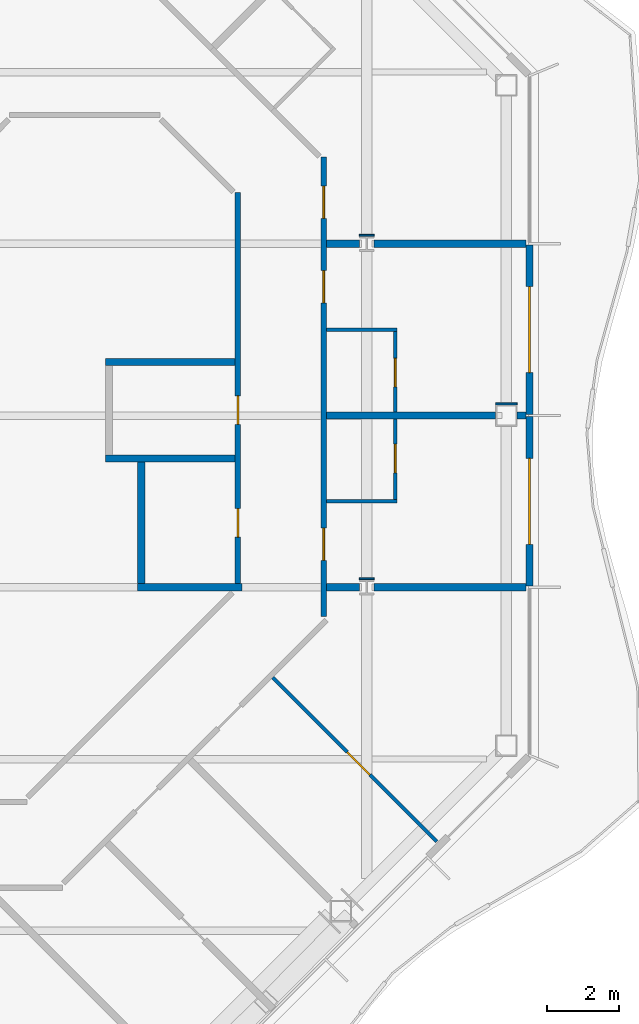
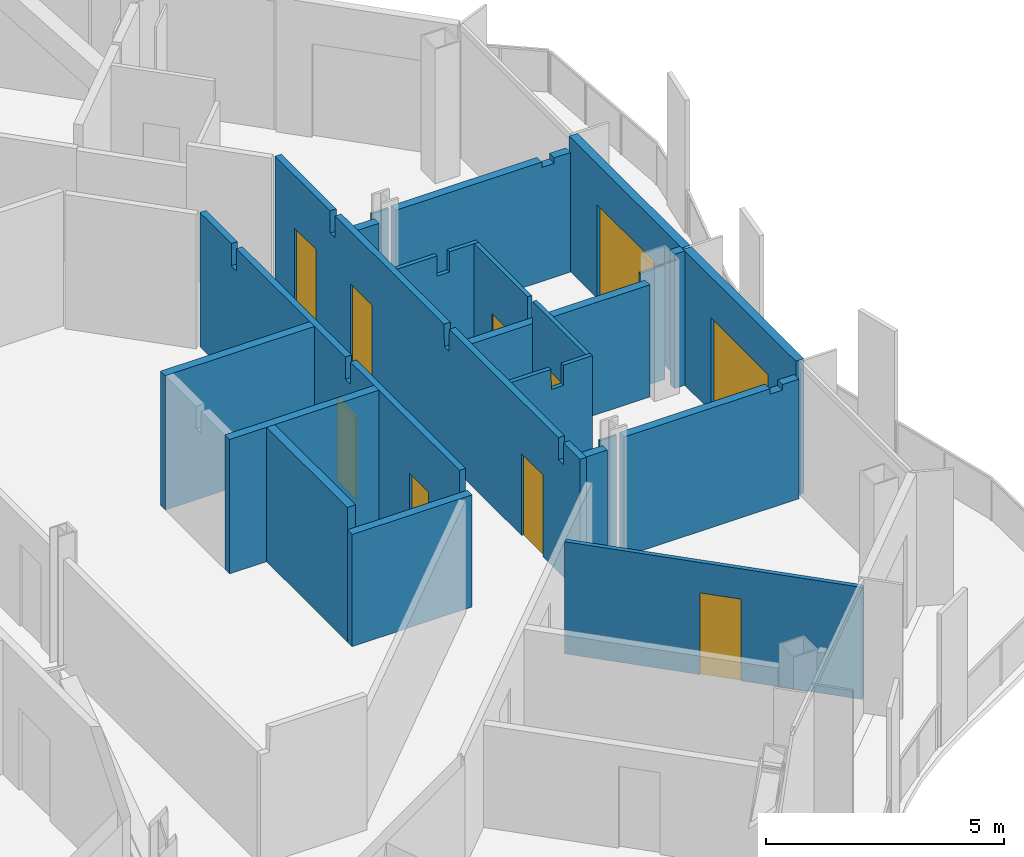
# One storey, part 11 of 20: 22 walls, 10 doors, 10 openings.
"""IFC4 building model written with IfcOpenShell, lengths in metres."""

from ifc_helpers import new_model, si_unit, direction, frame, frame_2d, origin, place, context, subcontext, project, spatial, polyline, rectangle, outline, extrude, material, layer, layer_set, type_object, element, fill, save


model = new_model("IFC4")

# Units and contexts
model_context = context("Model", 3, precision=1e-05, world=origin(), true_north=direction((0.0, 1.0)))
body_context = subcontext(model_context, "Body", "Model", "MODEL_VIEW")
ifc_project = project(units=[si_unit("LENGTHUNIT", "METRE"), si_unit("AREAUNIT", "SQUARE_METRE"), si_unit("VOLUMEUNIT", "CUBIC_METRE"), si_unit("PLANEANGLEUNIT", "RADIAN"), si_unit("MASSUNIT", "GRAM", prefix="KILO")], contexts=[model_context])

# Site, building, storey
site_placement = place(None, origin())
site = spatial("IfcSite", under=ifc_project, at=site_placement, CompositionType="ELEMENT")
building_placement = place(site_placement, origin())
building = spatial("IfcBuilding", under=site, at=building_placement, Name="Cairn Pilgrim Tower", CompositionType="ELEMENT")
storey_placement = place(building_placement, frame((0.0, 0.0, 165.0)))
storey = spatial("IfcBuildingStorey", under=building, at=storey_placement, Name="L41", CompositionType="ELEMENT", Elevation=165.0)

# Wall, opening, door
ifc_material_1 = material(Name="Bronze anodised aluminium insulated sandwich panel with mineral wool fill", Category="aluminium")
ifc_layer_1 = layer(ifc_material_1, 0.199951171875)
ifc_layer_set_1 = layer_set([ifc_layer_1], Name="BRONZE INFILL FRAME WALL 200")
wall_type_1 = type_object("IfcWallType", Name="BRONZE INFILL FRAME WALL 200", PredefinedType="NOTDEFINED", material=ifc_layer_set_1)
wall_1_placement = place(storey_placement, frame((35.75, 0.030029296875, 0.0), z_axis=(0.0, 0.0, 1.0), x_axis=(0.0, 1.0, 0.0)))
wall_1 = element("IfcWall", 1, at=wall_1_placement, inside=storey, type_object=wall_type_1, Name="Bronze infill frame wall IW-E2", PredefinedType="NOTDEFINED", context=body_context, shape_type="SweptSolid", body=[
    extrude(rectangle(XDim=4.739990234375, YDim=0.199951171875, at=frame_2d((2.3701171875, 0.0))), origin(), (0.0, 0.0, 1.0), 3.449951171875),
])
opening_1_placement = place(wall_1_placement, frame((1.169921875, 0.0, 0.0)))
opening_1 = element("IfcOpeningElement", 2, at=opening_1_placement, cuts=wall_1, Name="Opening 4106B", PredefinedType="OPENING", context=body_context, shape_type="SweptSolid", body=[
    extrude(rectangle(XDim=2.39990234375, YDim=2.39990234375, at=frame_2d((1.199951171875, 1.199951171875))), frame((0.0, 0.10986328125, 0.0), z_axis=(0.0, -1.0, 0.0), x_axis=(1.0, 0.0, 0.0)), (0.0, 0.0, 1.0), 0.219970703125),
])
ifc_material_2 = material(Name="Bronze anodised aluminium frame with tinted low-E glass", Category="aluminium")
door_type_1 = type_object("IfcDoorType", Name="BALCONY SLIDING DOOR 2400x2400", OperationType="DOUBLE_DOOR_SLIDING", PredefinedType="DOOR", material=ifc_material_2)
door_1_placement = place(opening_1_placement, origin())
door_1 = element("IfcDoor", 3, at=door_1_placement, inside=storey, type_object=door_type_1, Name="Balcony sliding door 4106B", OperationType="SINGLE_SWING_LEFT", OverallHeight=2.39990234375, OverallWidth=2.39990234375, PredefinedType="DOOR", context=body_context, shape_type="SweptSolid", body=[
    extrude(rectangle(XDim=2.39990234375, YDim=2.39990234375, at=frame_2d((1.199951171875, 1.199951171875))), frame((0.0, 0.02490234375, 0.0), z_axis=(0.0, -1.0, 0.0), x_axis=(1.0, 0.0, 0.0)), (0.0, 0.0, 1.0), 0.050048828125),
])
fill(opening_1, door_1)

wall_2_placement = place(storey_placement, frame((35.75, 4.830078125, 0.0), z_axis=(0.0, 0.0, 1.0), x_axis=(0.0, 1.0, 0.0)))
wall_2 = element("IfcWall", 4, at=wall_2_placement, inside=storey, type_object=wall_type_1, Name="Bronze infill frame wall IW-E3", PredefinedType="NOTDEFINED", context=body_context, shape_type="SweptSolid", body=[
    extrude(rectangle(XDim=4.739990234375, YDim=0.199951171875, at=frame_2d((2.3701171875, 0.0))), origin(), (0.0, 0.0, 1.0), 3.449951171875),
])
opening_2_placement = place(wall_2_placement, frame((1.169921875, 0.0, 0.0)))
opening_2 = element("IfcOpeningElement", 5, at=opening_2_placement, cuts=wall_2, Name="Opening 4107B", PredefinedType="OPENING", context=body_context, shape_type="SweptSolid", body=[
    extrude(rectangle(XDim=2.39990234375, YDim=2.39990234375, at=frame_2d((1.199951171875, 1.199951171875))), frame((0.0, 0.10986328125, 0.0), z_axis=(0.0, -1.0, 0.0), x_axis=(1.0, 0.0, 0.0)), (0.0, 0.0, 1.0), 0.219970703125),
])
door_2_placement = place(opening_2_placement, origin())
door_2 = element("IfcDoor", 6, at=door_2_placement, inside=storey, type_object=door_type_1, Name="Balcony sliding door 4107B", OperationType="SINGLE_SWING_LEFT", OverallHeight=2.39990234375, OverallWidth=2.39990234375, PredefinedType="DOOR", context=body_context, shape_type="SweptSolid", body=[
    extrude(rectangle(XDim=2.39990234375, YDim=2.39990234375, at=frame_2d((1.199951171875, 1.199951171875))), frame((0.0, 0.02490234375, 0.0), z_axis=(0.0, -1.0, 0.0), x_axis=(1.0, 0.0, 0.0)), (0.0, 0.0, 1.0), 0.050048828125),
])
fill(opening_2, door_2)

ifc_material_3 = material(Name="Gypsum partition")
ifc_layer_2 = layer(ifc_material_3, 0.10009765625)
ifc_layer_set_2 = layer_set([ifc_layer_2], Name="PARTITION 100 DRYWALL")
wall_type_2 = type_object("IfcWallType", Name="PARTITION 100 DRYWALL", PredefinedType="PARTITIONING", material=ifc_layer_set_2)
wall_3_placement = place(storey_placement, frame((33.1552734375, -7.107421875, 0.0), z_axis=(0.0, 0.0, 1.0), x_axis=(-0.70708794033, 0.707125621541, 0.0)))
wall_3 = element("IfcWall", 7, at=wall_3_placement, inside=storey, type_object=wall_type_2, Name="PARTITION W027", PredefinedType="PARTITIONING", context=body_context, shape_type="SweptSolid", body=[
    extrude(rectangle(XDim=6.47900390625, YDim=0.10009765625, at=frame_2d((3.239501953125, 0.0))), origin(), (0.0, 0.0, 1.0), 2.8798828125),
])
opening_3_placement = place(wall_3_placement, frame((2.636962890625, 0.0, 0.0)))
opening_3 = element("IfcOpeningElement", 8, at=opening_3_placement, cuts=wall_3, Name="Opening 4105", PredefinedType="OPENING", context=body_context, shape_type="SweptSolid", body=[
    extrude(rectangle(XDim=0.89990234375, YDim=2.10009765625, at=frame_2d((0.449951171875, 1.050048828125))), frame((0.0, 0.06005859375, 0.0), z_axis=(0.0, -1.0, 0.0), x_axis=(1.0, 0.0, 0.0)), (0.0, 0.0, 1.0), 0.1201171875),
])
ifc_material_4 = material(Name="Timber door leaf", Category="wood")
door_type_2 = type_object("IfcDoorType", Name="SERVICE DOOR 900x2100", OperationType="NOTDEFINED", PredefinedType="DOOR", material=ifc_material_4)
door_3_placement = place(opening_3_placement, frame((0.89990234375, 0.0, 0.0), z_axis=(0.0, 0.0, 1.0), x_axis=(-1.0, 0.0, 0.0)))
door_3 = element("IfcDoor", 9, at=door_3_placement, inside=storey, type_object=door_type_2, Name="DOOR 4105", OperationType="SINGLE_SWING_RIGHT", OverallHeight=2.10009765625, OverallWidth=0.89990234375, PredefinedType="DOOR", context=body_context, shape_type="SweptSolid", body=[
    extrude(rectangle(XDim=0.89990234375, YDim=2.10009765625, at=frame_2d((0.449951171875, 1.050048828125))), frame((0.0, 0.02490234375, 0.0), z_axis=(0.0, -1.0, 0.0), x_axis=(1.0, 0.0, 0.0)), (0.0, 0.0, 1.0), 0.050048828125),
])
fill(opening_3, door_3)

# Wall
wall_4_placement = place(storey_placement, frame((30.074951171875, 2.39990234375, 0.0), z_axis=(0.0, 0.0, 1.0), x_axis=(1.0, 0.0, 0.0)))
element("IfcWall", 10, at=wall_4_placement, inside=storey, type_object=wall_type_2, Name="PARTITION W049", PredefinedType="PARTITIONING", context=body_context, shape_type="SweptSolid", body=[
    extrude(outline(polyline([(0.0, 0.0), (1.97509765625, 0.0), (1.97509765625, 3.449951171875), (1.27490234375, 3.449951171875), (1.27294921875, 2.929931640625), (0.97509765625, 2.929931640625), (0.972900390625, 3.449951171875), (0.0, 3.449951171875), (0.0, 0.0)])), frame((0.0, 0.050048828125, 0.0), z_axis=(0.0, -1.0, 0.0), x_axis=(1.0, 0.0, 0.0)), (0.0, 0.0, 1.0), 0.10009765625),
])

# Wall, opening, door
wall_5_placement = place(storey_placement, frame((32.0, 2.449951171875, 0.0), z_axis=(0.0, 0.0, 1.0), x_axis=(0.0, 1.0, 0.0)))
wall_5 = element("IfcWall", 11, at=wall_5_placement, inside=storey, type_object=wall_type_2, Name="PARTITION W050", PredefinedType="PARTITIONING", context=body_context, shape_type="SweptSolid", body=[
    extrude(rectangle(XDim=2.25, YDim=0.10009765625, at=frame_2d((1.125, 0.0))), origin(), (0.0, 0.0, 1.0), 3.449951171875),
])
opening_4_placement = place(wall_5_placement, frame((0.75, 0.0, 0.0)))
opening_4 = element("IfcOpeningElement", 12, at=opening_4_placement, cuts=wall_5, Name="Opening 4106A", PredefinedType="OPENING", context=body_context, shape_type="SweptSolid", body=[
    extrude(rectangle(XDim=0.800048828125, YDim=2.10009765625, at=frame_2d((0.39990234375, 1.050048828125))), frame((0.0, 0.06005859375, 0.0), z_axis=(0.0, -1.0, 0.0), x_axis=(1.0, 0.0, 0.0)), (0.0, 0.0, 1.0), 0.1201171875),
])
door_type_3 = type_object("IfcDoorType", Name="WC DOOR 800x2100", OperationType="NOTDEFINED", PredefinedType="DOOR", material=ifc_material_4)
door_4_placement = place(opening_4_placement, frame((0.800048828125, 0.0, 0.0), z_axis=(0.0, 0.0, 1.0), x_axis=(-1.0, 0.0, 0.0)))
door_4 = element("IfcDoor", 13, at=door_4_placement, inside=storey, type_object=door_type_3, Name="DOOR 4106A", OperationType="SINGLE_SWING_RIGHT", OverallHeight=2.10009765625, OverallWidth=0.800048828125, PredefinedType="DOOR", context=body_context, shape_type="SweptSolid", body=[
    extrude(rectangle(XDim=0.800048828125, YDim=2.10009765625, at=frame_2d((0.39990234375, 1.050048828125))), frame((0.0, 0.02490234375, 0.0), z_axis=(0.0, -1.0, 0.0), x_axis=(1.0, 0.0, 0.0)), (0.0, 0.0, 1.0), 0.050048828125),
])
fill(opening_4, door_4)

wall_6_placement = place(storey_placement, frame((32.0, 4.89990234375, 0.0), z_axis=(0.0, 0.0, 1.0), x_axis=(0.0, 1.0, 0.0)))
wall_6 = element("IfcWall", 14, at=wall_6_placement, inside=storey, type_object=wall_type_2, Name="PARTITION W060", PredefinedType="PARTITIONING", context=body_context, shape_type="SweptSolid", body=[
    extrude(rectangle(XDim=2.25, YDim=0.10009765625, at=frame_2d((1.125, 0.0))), origin(), (0.0, 0.0, 1.0), 3.449951171875),
])
opening_5_placement = place(wall_6_placement, frame((0.699951171875, 0.0, 0.0)))
opening_5 = element("IfcOpeningElement", 15, at=opening_5_placement, cuts=wall_6, Name="Opening 4107A", PredefinedType="OPENING", context=body_context, shape_type="SweptSolid", body=[
    extrude(rectangle(XDim=0.800048828125, YDim=2.10009765625, at=frame_2d((0.39990234375, 1.050048828125))), frame((0.0, 0.06005859375, 0.0), z_axis=(0.0, -1.0, 0.0), x_axis=(1.0, 0.0, 0.0)), (0.0, 0.0, 1.0), 0.1201171875),
])
door_5_placement = place(opening_5_placement, frame((0.800048828125, 0.0, 0.0), z_axis=(0.0, 0.0, 1.0), x_axis=(-1.0, 0.0, 0.0)))
door_5 = element("IfcDoor", 16, at=door_5_placement, inside=storey, type_object=door_type_3, Name="DOOR 4107A", OperationType="SINGLE_SWING_RIGHT", OverallHeight=2.10009765625, OverallWidth=0.800048828125, PredefinedType="DOOR", context=body_context, shape_type="SweptSolid", body=[
    extrude(rectangle(XDim=0.800048828125, YDim=2.10009765625, at=frame_2d((0.39990234375, 1.050048828125))), frame((0.0, 0.02490234375, 0.0), z_axis=(0.0, -1.0, 0.0), x_axis=(1.0, 0.0, 0.0)), (0.0, 0.0, 1.0), 0.050048828125),
])
fill(opening_5, door_5)

# Wall
wall_7_placement = place(storey_placement, frame((30.074951171875, 7.199951171875, 0.0), z_axis=(0.0, 0.0, 1.0), x_axis=(1.0, 0.0, 0.0)))
element("IfcWall", 17, at=wall_7_placement, inside=storey, type_object=wall_type_2, Name="PARTITION W063", PredefinedType="PARTITIONING", context=body_context, shape_type="SweptSolid", body=[
    extrude(outline(polyline([(0.0, 0.0), (1.97509765625, 0.0), (1.97509765625, 3.449951171875), (1.27490234375, 3.449951171875), (1.27294921875, 2.929931640625), (0.97509765625, 2.929931640625), (0.972900390625, 3.449951171875), (0.0, 3.449951171875), (0.0, 0.0)])), frame((0.0, 0.050048828125, 0.0), z_axis=(0.0, -1.0, 0.0), x_axis=(1.0, 0.0, 0.0)), (0.0, 0.0, 1.0), 0.10009765625),
])

# Wall, openings, doors
ifc_layer_3 = layer(ifc_material_3, 0.14990234375)
ifc_layer_set_3 = layer_set([ifc_layer_3], Name="PARTITION 150 DRYWALL EI 60")
wall_type_3 = type_object("IfcWallType", Name="PARTITION 150 DRYWALL EI 60", PredefinedType="PARTITIONING", material=ifc_layer_set_3)
wall_8_placement = place(storey_placement, frame((30.0, -0.81298828125, 0.0), z_axis=(0.0, 0.0, 1.0), x_axis=(0.0, 1.0, 0.0)))
wall_8 = element("IfcWall", 18, at=wall_8_placement, inside=storey, type_object=wall_type_3, Name="PARTITION W039", PredefinedType="PARTITIONING", context=body_context, shape_type="SweptSolid", body=[
    extrude(outline(polyline([(0.0, 0.0), (12.833984375, 0.0), (12.833984375, 3.449951171875), (10.517822265625, 3.449951171875), (10.515869140625, 2.8798828125), (10.307861328125, 2.8798828125), (10.305908203125, 3.449951171875), (5.718017578125, 3.449951171875), (5.7158203125, 2.8798828125), (5.5078125, 2.8798828125), (5.505859375, 3.449951171875), (0.91796875, 3.449951171875), (0.916015625, 2.8798828125), (0.7080078125, 2.8798828125), (0.705810546875, 3.449951171875), (0.0, 3.449951171875), (0.0, 0.0)])), frame((0.0, 0.074951171875, 0.0), z_axis=(0.0, -1.0, 0.0), x_axis=(1.0, 0.0, 0.0)), (0.0, 0.0, 1.0), 0.14990234375),
])
opening_6_placement = place(wall_8_placement, frame((1.56298828125, 0.0, 0.0)))
opening_6 = element("IfcOpeningElement", 19, at=opening_6_placement, cuts=wall_8, Name="Opening 4106", PredefinedType="OPENING", context=body_context, shape_type="SweptSolid", body=[
    extrude(rectangle(XDim=0.89990234375, YDim=2.10009765625, at=frame_2d((0.449951171875, 1.050048828125))), frame((0.0, 0.0849609375, 0.0), z_axis=(0.0, -1.0, 0.0), x_axis=(1.0, 0.0, 0.0)), (0.0, 0.0, 1.0), 0.169921875),
])
opening_7_placement = place(wall_8_placement, frame((8.762939453125, 0.0, 0.0)))
opening_7 = element("IfcOpeningElement", 20, at=opening_7_placement, cuts=wall_8, Name="Opening 4107", PredefinedType="OPENING", context=body_context, shape_type="SweptSolid", body=[
    extrude(rectangle(XDim=0.89990234375, YDim=2.10009765625, at=frame_2d((0.449951171875, 1.050048828125))), frame((0.0, 0.0849609375, 0.0), z_axis=(0.0, -1.0, 0.0), x_axis=(1.0, 0.0, 0.0)), (0.0, 0.0, 1.0), 0.169921875),
])
opening_8_placement = place(wall_8_placement, frame((11.120849609375, 0.0, 0.0)))
opening_8 = element("IfcOpeningElement", 21, at=opening_8_placement, cuts=wall_8, Name="Opening 4108", PredefinedType="OPENING", context=body_context, shape_type="SweptSolid", body=[
    extrude(rectangle(XDim=0.89990234375, YDim=2.10009765625, at=frame_2d((0.449951171875, 1.050048828125))), frame((0.0, 0.0849609375, 0.0), z_axis=(0.0, -1.0, 0.0), x_axis=(1.0, 0.0, 0.0)), (0.0, 0.0, 1.0), 0.169921875),
])
door_type_4 = type_object("IfcDoorType", Name="ROOM DOOR 900x2100 FD30S", OperationType="NOTDEFINED", PredefinedType="DOOR", material=ifc_material_4)
door_6_placement = place(opening_6_placement, frame((0.89990234375, 0.0, 0.0), z_axis=(0.0, 0.0, 1.0), x_axis=(-1.0, 0.0, 0.0)))
door_6 = element("IfcDoor", 22, at=door_6_placement, inside=storey, type_object=door_type_4, Name="DOOR 4106", OperationType="SINGLE_SWING_RIGHT", OverallHeight=2.10009765625, OverallWidth=0.89990234375, PredefinedType="DOOR", context=body_context, shape_type="SweptSolid", body=[
    extrude(rectangle(XDim=0.89990234375, YDim=2.10009765625, at=frame_2d((0.449951171875, 1.050048828125))), frame((0.0, 0.02490234375, 0.0), z_axis=(0.0, -1.0, 0.0), x_axis=(1.0, 0.0, 0.0)), (0.0, 0.0, 1.0), 0.050048828125),
])
fill(opening_6, door_6)
door_7_placement = place(opening_7_placement, frame((0.89990234375, 0.0, 0.0), z_axis=(0.0, 0.0, 1.0), x_axis=(-1.0, 0.0, 0.0)))
door_7 = element("IfcDoor", 23, at=door_7_placement, inside=storey, type_object=door_type_4, Name="DOOR 4107", OperationType="SINGLE_SWING_RIGHT", OverallHeight=2.10009765625, OverallWidth=0.89990234375, PredefinedType="DOOR", context=body_context, shape_type="SweptSolid", body=[
    extrude(rectangle(XDim=0.89990234375, YDim=2.10009765625, at=frame_2d((0.449951171875, 1.050048828125))), frame((0.0, 0.02490234375, 0.0), z_axis=(0.0, -1.0, 0.0), x_axis=(1.0, 0.0, 0.0)), (0.0, 0.0, 1.0), 0.050048828125),
])
fill(opening_7, door_7)
door_8_placement = place(opening_8_placement, frame((0.89990234375, 0.0, 0.0), z_axis=(0.0, 0.0, 1.0), x_axis=(-1.0, 0.0, 0.0)))
door_8 = element("IfcDoor", 24, at=door_8_placement, inside=storey, type_object=door_type_4, Name="DOOR 4108", OperationType="SINGLE_SWING_RIGHT", OverallHeight=2.10009765625, OverallWidth=0.89990234375, PredefinedType="DOOR", context=body_context, shape_type="SweptSolid", body=[
    extrude(rectangle(XDim=0.89990234375, YDim=2.10009765625, at=frame_2d((0.449951171875, 1.050048828125))), frame((0.0, 0.02490234375, 0.0), z_axis=(0.0, -1.0, 0.0), x_axis=(1.0, 0.0, 0.0)), (0.0, 0.0, 1.0), 0.050048828125),
])
fill(opening_8, door_8)

wall_9_placement = place(storey_placement, frame((27.60009765625, 0.10009765625, 0.0), z_axis=(0.0, 0.0, 1.0), x_axis=(0.0, 1.0, 0.0)))
wall_9 = element("IfcWall", 25, at=wall_9_placement, inside=storey, type_object=wall_type_3, Name="PARTITION W046", PredefinedType="PARTITIONING", context=body_context, shape_type="SweptSolid", body=[
    extrude(outline(polyline([(0.0, 0.0), (10.927001953125, 0.0), (10.927001953125, 3.449951171875), (9.60498046875, 3.449951171875), (9.60302734375, 2.8798828125), (9.39501953125, 2.8798828125), (9.39306640625, 3.449951171875), (4.804931640625, 3.449951171875), (4.802978515625, 2.8798828125), (4.594970703125, 2.8798828125), (4.593017578125, 3.449951171875), (0.0048828125, 3.449951171875), (0.0029296875, 2.8798828125), (0.0, 2.8798828125), (0.0, 0.0)])), frame((0.0, 0.074951171875, 0.0), z_axis=(0.0, -1.0, 0.0), x_axis=(1.0, 0.0, 0.0)), (0.0, 0.0, 1.0), 0.14990234375),
])
opening_9_placement = place(wall_9_placement, frame((1.300048828125, 0.0, 0.0)))
opening_9 = element("IfcOpeningElement", 26, at=opening_9_placement, cuts=wall_9, Name="Opening 4124", PredefinedType="OPENING", context=body_context, shape_type="SweptSolid", body=[
    extrude(rectangle(XDim=0.800048828125, YDim=2.10009765625, at=frame_2d((0.39990234375, 1.050048828125))), frame((0.0, 0.0849609375, 0.0), z_axis=(0.0, -1.0, 0.0), x_axis=(1.0, 0.0, 0.0)), (0.0, 0.0, 1.0), 0.169921875),
])
opening_10_placement = place(wall_9_placement, frame((4.449951171875, 0.0, 0.0)))
opening_10 = element("IfcOpeningElement", 27, at=opening_10_placement, cuts=wall_9, Name="Opening 4125", PredefinedType="OPENING", context=body_context, shape_type="SweptSolid", body=[
    extrude(rectangle(XDim=0.800048828125, YDim=2.10009765625, at=frame_2d((0.39990234375, 1.050048828125))), frame((0.0, 0.0849609375, 0.0), z_axis=(0.0, -1.0, 0.0), x_axis=(1.0, 0.0, 0.0)), (0.0, 0.0, 1.0), 0.169921875),
])
door_type_5 = type_object("IfcDoorType", Name="WC DOOR 800x2100 FD30S", OperationType="NOTDEFINED", PredefinedType="DOOR", material=ifc_material_4)
door_9_placement = place(opening_9_placement, origin())
door_9 = element("IfcDoor", 28, at=door_9_placement, inside=storey, type_object=door_type_5, Name="DOOR 4124", OperationType="SINGLE_SWING_RIGHT", OverallHeight=2.10009765625, OverallWidth=0.800048828125, PredefinedType="DOOR", context=body_context, shape_type="SweptSolid", body=[
    extrude(rectangle(XDim=0.800048828125, YDim=2.10009765625, at=frame_2d((0.39990234375, 1.050048828125))), frame((0.0, 0.02490234375, 0.0), z_axis=(0.0, -1.0, 0.0), x_axis=(1.0, 0.0, 0.0)), (0.0, 0.0, 1.0), 0.050048828125),
])
fill(opening_9, door_9)
door_10_placement = place(opening_10_placement, origin())
door_10 = element("IfcDoor", 29, at=door_10_placement, inside=storey, type_object=door_type_5, Name="DOOR 4125", OperationType="SINGLE_SWING_RIGHT", OverallHeight=2.10009765625, OverallWidth=0.800048828125, PredefinedType="DOOR", context=body_context, shape_type="SweptSolid", body=[
    extrude(rectangle(XDim=0.800048828125, YDim=2.10009765625, at=frame_2d((0.39990234375, 1.050048828125))), frame((0.0, 0.02490234375, 0.0), z_axis=(0.0, -1.0, 0.0), x_axis=(1.0, 0.0, 0.0)), (0.0, 0.0, 1.0), 0.050048828125),
])
fill(opening_10, door_10)

# Walls
ifc_layer_4 = layer(ifc_material_3, 0.050048828125)
ifc_layer_set_4 = layer_set([ifc_layer_4], Name="PARTITION 50 DRYWALL EI 60")
wall_type_4 = type_object("IfcWallType", Name="PARTITION 50 DRYWALL EI 60", PredefinedType="PARTITIONING", material=ifc_layer_set_4)
wall_10_placement = place(storey_placement, frame((30.99560546875, 0.237548828125, 0.0), z_axis=(0.0, 0.0, 1.0), x_axis=(1.0, 0.0, 0.0)))
element("IfcWall", 30, at=wall_10_placement, inside=storey, type_object=wall_type_4, Name="COLUMN CASING WC18", PredefinedType="PARTITIONING", context=body_context, shape_type="SweptSolid", body=[
    extrude(rectangle(XDim=0.408935546875, YDim=0.050048828125, at=frame_2d((0.20458984375, 0.0))), origin(), (0.0, 0.0, 1.0), 2.929931640625),
])
wall_11_placement = place(storey_placement, frame((34.800048828125, 5.125, 0.0), z_axis=(0.0, 0.0, 1.0), x_axis=(1.0, 0.0, 0.0)))
element("IfcWall", 31, at=wall_11_placement, inside=storey, type_object=wall_type_4, Name="COLUMN CASING WC20", PredefinedType="PARTITIONING", context=body_context, shape_type="SweptSolid", body=[
    extrude(rectangle(XDim=0.599853515625, YDim=0.050048828125, at=frame_2d((0.2998046875, 0.0))), origin(), (0.0, 0.0, 1.0), 2.929931640625),
])
wall_12_placement = place(storey_placement, frame((30.99560546875, 9.83740234375, 0.0), z_axis=(0.0, 0.0, 1.0), x_axis=(1.0, 0.0, 0.0)))
element("IfcWall", 32, at=wall_12_placement, inside=storey, type_object=wall_type_4, Name="COLUMN CASING WC22", PredefinedType="PARTITIONING", context=body_context, shape_type="SweptSolid", body=[
    extrude(rectangle(XDim=0.408935546875, YDim=0.050048828125, at=frame_2d((0.20458984375, 0.0))), origin(), (0.0, 0.0, 1.0), 2.929931640625),
])
ifc_layer_5 = layer(ifc_material_3, 0.199951171875)
ifc_layer_set_5 = layer_set([ifc_layer_5], Name="SHAFT WALL 200 GYPSUM EI 60")
wall_type_5 = type_object("IfcWallType", Name="SHAFT WALL 200 GYPSUM EI 60", PredefinedType="PARTITIONING", material=ifc_layer_set_5)
wall_13_placement = place(storey_placement, frame((24.800048828125, 0.0, 0.0), z_axis=(0.0, 0.0, 1.0), x_axis=(1.0, 0.0, 0.0)))
element("IfcWall", 33, at=wall_13_placement, inside=storey, type_object=wall_type_5, Name="PARTITION W042", PredefinedType="PARTITIONING", context=body_context, shape_type="SweptSolid", body=[
    extrude(rectangle(XDim=2.916259765625, YDim=0.199951171875, at=frame_2d((1.4580078125, 0.0))), origin(), (0.0, 0.0, 1.0), 2.8798828125),
])
wall_14_placement = place(storey_placement, frame((30.074951171875, 0.0, 0.0), z_axis=(0.0, 0.0, 1.0), x_axis=(1.0, 0.0, 0.0)))
element("IfcWall", 34, at=wall_14_placement, inside=storey, type_object=wall_type_5, Name="PARTITION W043", PredefinedType="PARTITIONING", context=body_context, shape_type="SweptSolid", body=[
    extrude(rectangle(XDim=0.920654296875, YDim=0.199951171875, at=frame_2d((0.46044921875, 0.0))), origin(), (0.0, 0.0, 1.0), 2.8798828125),
])
wall_15_placement = place(storey_placement, frame((31.404541015625, 0.0, 0.0), z_axis=(0.0, 0.0, 1.0), x_axis=(1.0, 0.0, 0.0)))
element("IfcWall", 35, at=wall_15_placement, inside=storey, type_object=wall_type_5, Name="PARTITION W044", PredefinedType="PARTITIONING", context=body_context, shape_type="SweptSolid", body=[
    extrude(outline(polyline([(0.0, 0.0), (4.245361328125, 0.0), (4.24560546875, 3.070068359375), (3.845458984375, 3.070068359375), (3.843505859375, 2.929931640625), (3.54541015625, 2.929931640625), (3.54345703125, 3.070068359375), (0.0, 3.070068359375), (0.0, 0.0)])), frame((0.0, 0.10009765625, 0.0), z_axis=(0.0, -1.0, 0.0), x_axis=(1.0, 0.0, 0.0)), (0.0, 0.0, 1.0), 0.199951171875),
])
wall_16_placement = place(storey_placement, frame((24.89990234375, 0.10009765625, 0.0), z_axis=(0.0, 0.0, 1.0), x_axis=(0.0, 1.0, 0.0)))
element("IfcWall", 36, at=wall_16_placement, inside=storey, type_object=wall_type_5, Name="PARTITION W045", PredefinedType="PARTITIONING", context=body_context, shape_type="SweptSolid", body=[
    extrude(outline(polyline([(0.0, 0.0), (3.39990234375, 0.0), (3.39990234375, 3.449951171875), (0.0048828125, 3.449951171875), (0.0029296875, 2.8798828125), (0.0, 2.8798828125), (0.0, 0.0)])), frame((0.0, 0.10009765625, 0.0), z_axis=(0.0, -1.0, 0.0), x_axis=(1.0, 0.0, 0.0)), (0.0, 0.0, 1.0), 0.199951171875),
])
wall_17_placement = place(storey_placement, frame((23.89990234375, 3.60009765625, 0.0), z_axis=(0.0, 0.0, 1.0), x_axis=(1.0, 0.0, 0.0)))
element("IfcWall", 37, at=wall_17_placement, inside=storey, type_object=wall_type_5, Name="PARTITION W053", PredefinedType="PARTITIONING", context=body_context, shape_type="SweptSolid", body=[
    extrude(rectangle(XDim=3.625, YDim=0.199951171875, at=frame_2d((1.8125, 0.0))), origin(), (0.0, 0.0, 1.0), 3.449951171875),
])
wall_18_placement = place(storey_placement, frame((30.074951171875, 4.800048828125, 0.0), z_axis=(0.0, 0.0, 1.0), x_axis=(1.0, 0.0, 0.0)))
element("IfcWall", 38, at=wall_18_placement, inside=storey, type_object=wall_type_5, Name="PARTITION W057", PredefinedType="PARTITIONING", context=body_context, shape_type="SweptSolid", body=[
    extrude(rectangle(XDim=4.72509765625, YDim=0.199951171875, at=frame_2d((2.362548828125, 0.0))), origin(), (0.0, 0.0, 1.0), 2.8798828125),
])
wall_19_placement = place(storey_placement, frame((35.39990234375, 4.800048828125, 0.0), z_axis=(0.0, 0.0, 1.0), x_axis=(1.0, 0.0, 0.0)))
element("IfcWall", 39, at=wall_19_placement, inside=storey, type_object=wall_type_5, Name="PARTITION W058", PredefinedType="PARTITIONING", context=body_context, shape_type="SweptSolid", body=[
    extrude(rectangle(XDim=0.25, YDim=0.199951171875, at=frame_2d((0.125, 0.0))), origin(), (0.0, 0.0, 1.0), 3.449951171875),
])
wall_20_placement = place(storey_placement, frame((23.89990234375, 6.300048828125, 0.0), z_axis=(0.0, 0.0, 1.0), x_axis=(1.0, 0.0, 0.0)))
element("IfcWall", 40, at=wall_20_placement, inside=storey, type_object=wall_type_5, Name="PARTITION W061", PredefinedType="PARTITIONING", context=body_context, shape_type="SweptSolid", body=[
    extrude(rectangle(XDim=3.625, YDim=0.199951171875, at=frame_2d((1.8125, 0.0))), origin(), (0.0, 0.0, 1.0), 3.449951171875),
])
wall_21_placement = place(storey_placement, frame((30.074951171875, 9.60009765625, 0.0), z_axis=(0.0, 0.0, 1.0), x_axis=(1.0, 0.0, 0.0)))
element("IfcWall", 41, at=wall_21_placement, inside=storey, type_object=wall_type_5, Name="PARTITION W066", PredefinedType="PARTITIONING", context=body_context, shape_type="SweptSolid", body=[
    extrude(rectangle(XDim=0.920654296875, YDim=0.199951171875, at=frame_2d((0.46044921875, 0.0))), origin(), (0.0, 0.0, 1.0), 2.8798828125),
])
wall_22_placement = place(storey_placement, frame((31.404541015625, 9.60009765625, 0.0), z_axis=(0.0, 0.0, 1.0), x_axis=(1.0, 0.0, 0.0)))
element("IfcWall", 42, at=wall_22_placement, inside=storey, type_object=wall_type_5, Name="PARTITION W067", PredefinedType="PARTITIONING", context=body_context, shape_type="SweptSolid", body=[
    extrude(outline(polyline([(0.0, 0.0), (4.245361328125, 0.0), (4.24560546875, 3.070068359375), (3.845458984375, 3.070068359375), (3.843505859375, 2.929931640625), (3.54541015625, 2.929931640625), (3.54345703125, 3.070068359375), (0.0, 3.070068359375), (0.0, 0.0)])), frame((0.0, 0.10009765625, 0.0), z_axis=(0.0, -1.0, 0.0), x_axis=(1.0, 0.0, 0.0)), (0.0, 0.0, 1.0), 0.199951171875),
])

save(model, "model.ifc")
